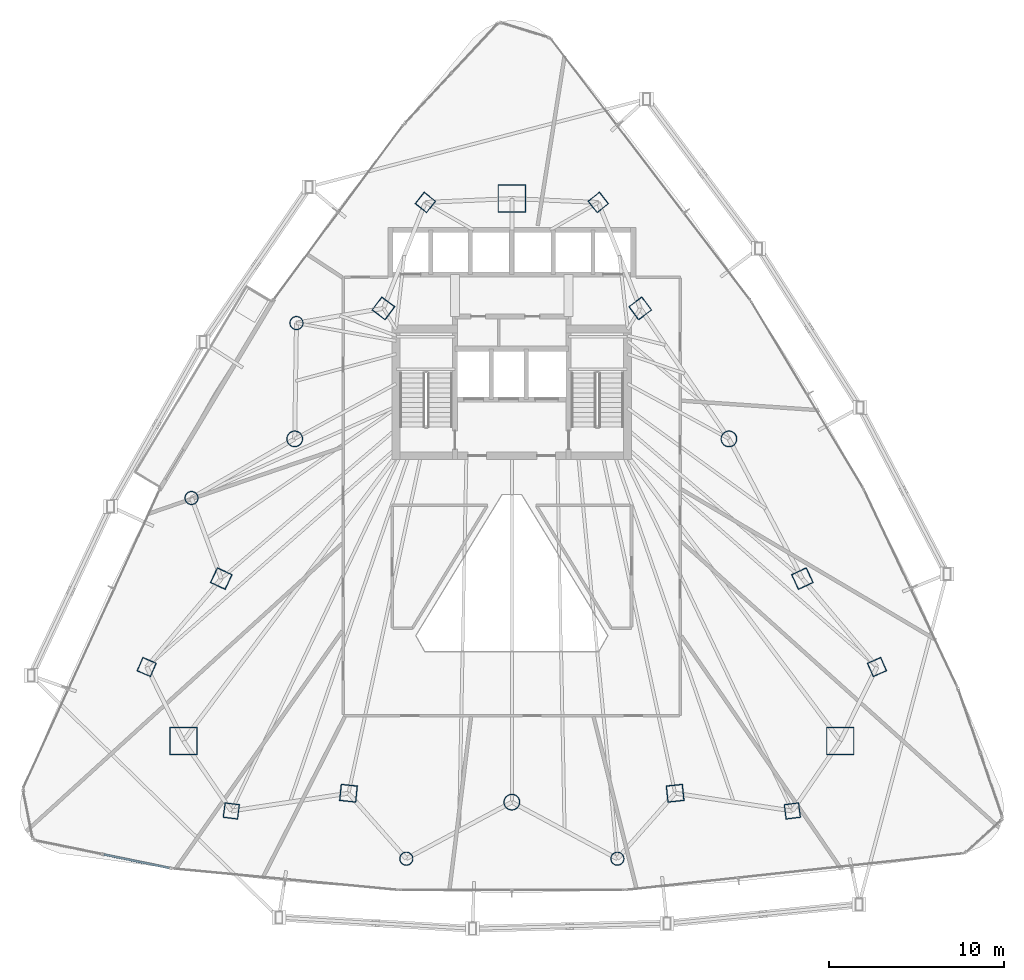
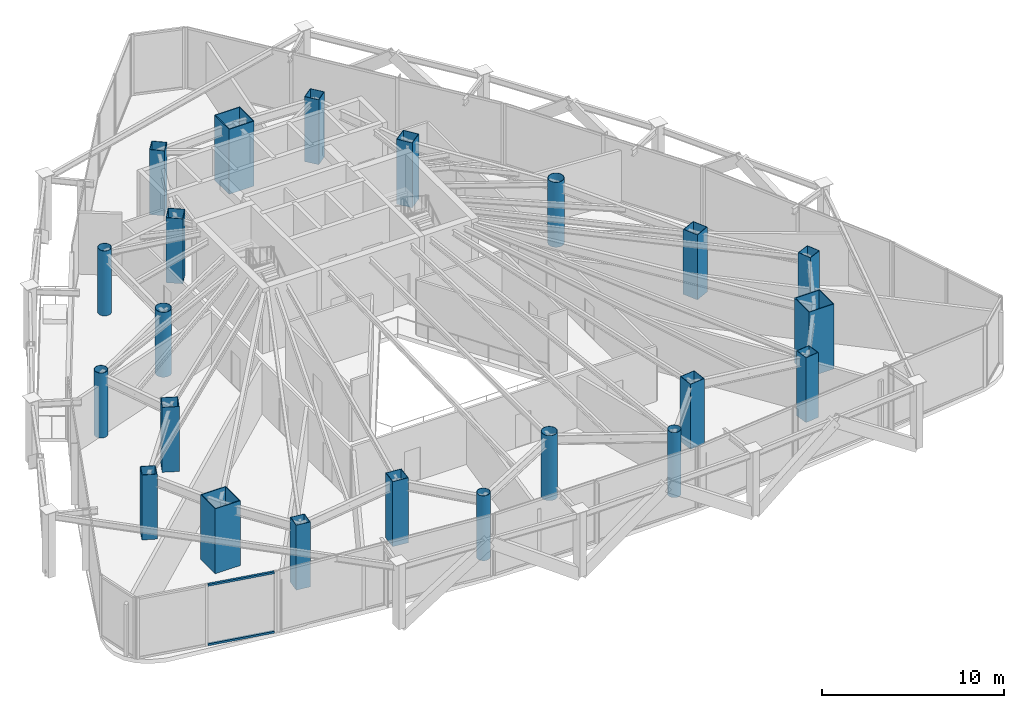
# One storey, part 1 of 33: 22 columns, 2 members, 1 element without a shape of its own.
"""IFC4 building model written with IfcOpenShell, lengths in metres."""

from ifc_helpers import new_model, si_unit, direction, frame, origin, origin_2d, place, context, subcontext, project, spatial, hollow_rectangle, hollow_circle, extrude, material, layer, layer_set, material_profile, profile_set, type_object, element, aggregate, save


model = new_model("IFC4")

# Units and contexts
model_context = context("Model", 3, precision=1e-05, world=origin(), true_north=direction((0.0, 1.0)))
body_context = subcontext(model_context, "Body", "Model", "MODEL_VIEW")
ifc_project = project(units=[si_unit("LENGTHUNIT", "METRE"), si_unit("AREAUNIT", "SQUARE_METRE"), si_unit("VOLUMEUNIT", "CUBIC_METRE"), si_unit("PLANEANGLEUNIT", "RADIAN"), si_unit("MASSUNIT", "GRAM", prefix="KILO")], contexts=[model_context])

# Site, building, storey
site_placement = place(None, origin())
site = spatial("IfcSite", under=ifc_project, at=site_placement, CompositionType="ELEMENT")
building_placement = place(site_placement, origin())
building = spatial("IfcBuilding", under=site, at=building_placement, Name="Orvanel Arch Residences", CompositionType="ELEMENT")
storey_placement = place(building_placement, frame((0.0, 0.0, 59.89990234375)))
storey = spatial("IfcBuildingStorey", under=building, at=storey_placement, Name="L16", CompositionType="ELEMENT", Elevation=59.89990234375)

# Columns
ifc_material_1 = material(Name="Structural steel AS/NZS 1163 C450L0 (Grade 450)", Category="steel")
ifc_material_profile_1 = material_profile(ifc_material_1, hollow_circle(Radius=0.381103515625, WallThickness=0.02197265625, at=origin_2d()), Name="CHS762x22")
ifc_profile_set_1 = profile_set([ifc_material_profile_1], Name="Structural steel AS/NZS 1163 C450L0 (Grade 450)")
column_type_1 = type_object("IfcColumnType", Name="CC-762", PredefinedType="COLUMN", material=ifc_profile_set_1)
for number, where, z_axis, x_axis, name in (
    (1, (20.669921875, 34.27099609375, 0.0), (0.0, 0.0, 1.0), (1.0, 0.0, 0.0), "L16 Low-Rise Buttress Tube Column 01"),
    (2, (14.662109375, 24.256103515625, 0.0), (0.0, 0.0, 1.0), (1.0, 0.0, 0.0), "L16 Low-Rise Buttress Tube Column 02"),
    (3, (26.9580078125, 3.60498046875, 0.0), (0.0, 0.0, 1.0), (1.0, 0.0, 0.0), "L16 Low-Rise Buttress Tube Column 03"),
    (4, (39.0419921875, 3.60498046875, 0.0), (0.0, 0.0, 1.0), (1.0, 0.0, 0.0), "L16 Low-Rise Buttress Tube Column 04"),
):
    element("IfcColumn", number, at=place(storey_placement, frame(where, z_axis=z_axis, x_axis=x_axis)), inside=storey, type_object=column_type_1, Name=name, PredefinedType="COLUMN", context=body_context, shape_type="SweptSolid", body=[
        extrude(hollow_circle(Radius=0.381103515625, WallThickness=0.02197265625, at=origin_2d()), origin(), (0.0, 0.0, 1.0), 4.35009765625),
    ])
ifc_material_profile_2 = material_profile(ifc_material_1, hollow_circle(Radius=0.45703125, WallThickness=0.02490234375, at=origin_2d()), Name="CHS914x25")
ifc_profile_set_2 = profile_set([ifc_material_profile_2], Name="Structural steel AS/NZS 1163 C450L0 (Grade 450)")
column_type_2 = type_object("IfcColumnType", Name="CC-914", PredefinedType="COLUMN", material=ifc_profile_set_2)
for number, where, z_axis, x_axis, name in (
    (5, (20.569091796875, 27.64111328125, 0.0), (0.0, 0.0, 1.0), (1.0, 0.0, 0.0), "L16 High-Rise Tube Column 02"),
    (6, (33.0, 6.843994140625, 0.0), (0.0, 0.0, 1.0), (1.0, 0.0, 0.0), "L16 High-Rise Tube Column 05"),
    (7, (45.430908203125, 27.64111328125, 0.0), (0.0, 0.0, 1.0), (1.0, 0.0, 0.0), "L16 High-Rise Tube Column 08"),
):
    element("IfcColumn", number, at=place(storey_placement, frame(where, z_axis=z_axis, x_axis=x_axis)), inside=storey, type_object=column_type_2, Name=name, PredefinedType="COLUMN", context=body_context, shape_type="SweptSolid", body=[
        extrude(hollow_circle(Radius=0.45703125, WallThickness=0.02490234375, at=origin_2d()), origin(), (0.0, 0.0, 1.0), 4.35009765625),
    ])
ifc_material_2 = material(Name="Structural steel AS/NZS 3678 Grade 450", Category="steel")
ifc_material_profile_3 = material_profile(ifc_material_2, hollow_rectangle(XDim=1.60009765625, YDim=1.60009765625, WallThickness=0.050048828125, at=origin_2d()), Name="BOX1600x1600x50")
ifc_profile_set_3 = profile_set([ifc_material_profile_3], Name="Structural steel AS/NZS 3678 Grade 450")
column_type_3 = type_object("IfcColumnType", Name="MC-1600", PredefinedType="COLUMN", material=ifc_profile_set_3)
for number, where, z_axis, x_axis, name in (
    (8, (33.0, 41.39794921875, 0.0), (0.0, 0.0, 1.0), (1.0, 0.0, 0.0), "L16 Corner Mega-Column 1"),
    (9, (14.198974609375, 10.35107421875, 0.0), (0.0, 0.0, 1.0), (1.0, 0.0, 0.0), "L16 Corner Mega-Column 2"),
    (10, (51.801025390625, 10.35107421875, 0.0), (0.0, 0.0, 1.0), (1.0, 0.0, 0.0), "L16 Corner Mega-Column 3"),
):
    element("IfcColumn", number, at=place(storey_placement, frame(where, z_axis=z_axis, x_axis=x_axis)), inside=storey, type_object=column_type_3, Name=name, PredefinedType="COLUMN", context=body_context, shape_type="SweptSolid", body=[
        extrude(hollow_rectangle(XDim=1.60009765625, YDim=1.60009765625, WallThickness=0.050048828125, at=origin_2d()), origin(), (0.0, 0.0, 1.0), 4.35009765625),
    ])
ifc_material_3 = material(Name="Structural steel AS/NZS 3678 Grade 350", Category="steel")
ifc_material_profile_4 = material_profile(ifc_material_3, hollow_rectangle(XDim=0.85009765625, YDim=0.85009765625, WallThickness=0.028076171875, at=origin_2d()), Name="BOX850x850x28")
ifc_profile_set_4 = profile_set([ifc_material_profile_4], Name="Structural steel AS/NZS 3678 Grade 350")
column_type_4 = type_object("IfcColumnType", Name="TC-850", PredefinedType="COLUMN", material=ifc_profile_set_4)
for number, where, z_axis, x_axis, name in (
    (11, (28.050048828125, 41.177978515625, 0.0), (0.0, 0.0, 1.0), (0.623879596709, 0.781520472419, 0.0), "L16 Mid-Rise Buttress Tube Column 01"),
    (12, (12.094970703125, 14.580078125, 0.0), (0.0, 0.0, 1.0), (0.397147890635, 0.917754625684, 0.0), "L16 Mid-Rise Buttress Tube Column 02"),
    (13, (16.94091796875, 6.339111328125, 0.0), (0.0, 0.0, 1.0), (-0.99189444259, 0.127064608601, 0.0), "L16 Mid-Rise Buttress Tube Column 03"),
    (14, (49.05908203125, 6.339111328125, 0.0), (0.0, 0.0, 1.0), (0.99189444259, 0.127064608601, 0.0), "L16 Mid-Rise Buttress Tube Column 04"),
    (15, (53.905029296875, 14.580078125, 0.0), (0.0, 0.0, 1.0), (-0.397147890635, 0.917754625684, 0.0), "L16 Mid-Rise Buttress Tube Column 05"),
    (16, (37.949951171875, 41.177978515625, 0.0), (0.0, 0.0, 1.0), (-0.623879596709, 0.781520472419, 0.0), "L16 Mid-Rise Buttress Tube Column 06"),
):
    element("IfcColumn", number, at=place(storey_placement, frame(where, z_axis=z_axis, x_axis=x_axis)), inside=storey, type_object=column_type_4, Name=name, PredefinedType="COLUMN", context=body_context, shape_type="SweptSolid", body=[
        extrude(hollow_rectangle(XDim=0.85009765625, YDim=0.85009765625, WallThickness=0.028076171875, at=origin_2d()), origin(), (0.0, 0.0, 1.0), 4.35009765625),
    ])
ifc_material_profile_5 = material_profile(ifc_material_3, hollow_rectangle(XDim=0.949951171875, YDim=0.949951171875, WallThickness=0.031982421875, at=origin_2d()), Name="BOX950x950x32")
ifc_profile_set_5 = profile_set([ifc_material_profile_5], Name="Structural steel AS/NZS 3678 Grade 350")
column_type_5 = type_object("IfcColumnType", Name="TC-950", PredefinedType="COLUMN", material=ifc_profile_set_5)
for number, where, z_axis, x_axis, name in (
    (17, (25.64794921875, 35.113037109375, 0.0), (0.0, 0.0, 1.0), (0.600420225326, 0.799684658487, 0.0), "L16 High-Rise Tube Column 01"),
    (18, (16.366943359375, 19.64208984375, 0.0), (0.0, 0.0, 1.0), (0.422618261741, 0.906307787037, 0.0), "L16 High-Rise Tube Column 03"),
    (19, (23.64892578125, 7.35498046875, 0.0), (0.0, 0.0, 1.0), (-0.994880708829, 0.101056297183, 0.0), "L16 High-Rise Tube Column 04"),
    (20, (42.35107421875, 7.35498046875, 0.0), (0.0, 0.0, 1.0), (0.994880708829, 0.101056297183, 0.0), "L16 High-Rise Tube Column 06"),
    (21, (49.633056640625, 19.64208984375, 0.0), (0.0, 0.0, 1.0), (-0.422618261741, 0.906307787037, 0.0), "L16 High-Rise Tube Column 07"),
    (22, (40.35205078125, 35.113037109375, 0.0), (0.0, 0.0, 1.0), (-0.600420225326, 0.799684658487, 0.0), "L16 High-Rise Tube Column 09"),
):
    element("IfcColumn", number, at=place(storey_placement, frame(where, z_axis=z_axis, x_axis=x_axis)), inside=storey, type_object=column_type_5, Name=name, PredefinedType="COLUMN", context=body_context, shape_type="SweptSolid", body=[
        extrude(hollow_rectangle(XDim=0.949951171875, YDim=0.949951171875, WallThickness=0.031982421875, at=origin_2d()), origin(), (0.0, 0.0, 1.0), 4.35009765625),
    ])

# Curtain wall, members
ifc_material_4 = material(Name="Bronze-anodised aluminium AA6063-T6", Category="aluminium")
ifc_layer = layer(ifc_material_4, 0.18994140625)
ifc_layer_set = layer_set([ifc_layer], Name="Bronze-anodised aluminium AA6063-T6")
curtain_wall_type = type_object("IfcCurtainWallType", Name="CW5-CRN-SYS", PredefinedType="NOTDEFINED", material=ifc_layer_set)
curtain_wall_placement = place(storey_placement, origin())
curtain_wall = element("IfcCurtainWall", 23, at=curtain_wall_placement, inside=storey, type_object=curtain_wall_type, Name="L16 CW5-CRN-SYS Unitised Curtain Wall", PredefinedType="NOTDEFINED")
ifc_material_profile_6 = material_profile(ifc_material_4, hollow_rectangle(XDim=0.1298828125, YDim=0.1298828125, WallThickness=0.00439453125, at=origin_2d()), Name="ALU130x130x4.5")
ifc_profile_set_6 = profile_set([ifc_material_profile_6], Name="Bronze-anodised aluminium AA6063-T6")
member_type = type_object("IfcMemberType", Name="TRN-130x130", PredefinedType="USERDEFINED", material=ifc_profile_set_6)
member_1_placement = place(storey_placement, frame((9.64501953125, 3.848876953125, 0.065185546875), z_axis=(0.979524411255, -0.201325427496, 0.0), x_axis=(0.201325427496, 0.979524411255, 0.0)))
member_1 = element("IfcMember", 24, at=member_1_placement, type_object=member_type, Name="CW-S5 transom 2.1", ObjectType="TRANSOM", PredefinedType="USERDEFINED", context=body_context, shape_type="SweptSolid", body=[
    extrude(hollow_rectangle(XDim=0.1298828125, YDim=0.1298828125, WallThickness=0.00439453125, at=origin_2d()), origin(), (0.0, 0.0, 1.0), 3.828369140625),
])
member_2_placement = place(storey_placement, frame((9.64501953125, 3.848876953125, 4.045166015625), z_axis=(0.979524411255, -0.201325427496, 0.0), x_axis=(0.201325427496, 0.979524411255, 0.0)))
member_2 = element("IfcMember", 25, at=member_2_placement, type_object=member_type, Name="CW-S5 transom 2.2", ObjectType="TRANSOM", PredefinedType="USERDEFINED", context=body_context, shape_type="SweptSolid", body=[
    extrude(hollow_rectangle(XDim=0.1298828125, YDim=0.1298828125, WallThickness=0.00439453125, at=origin_2d()), origin(), (0.0, 0.0, 1.0), 3.828369140625),
])
aggregate(curtain_wall, [member_1, member_2])

save(model, "model.ifc")
